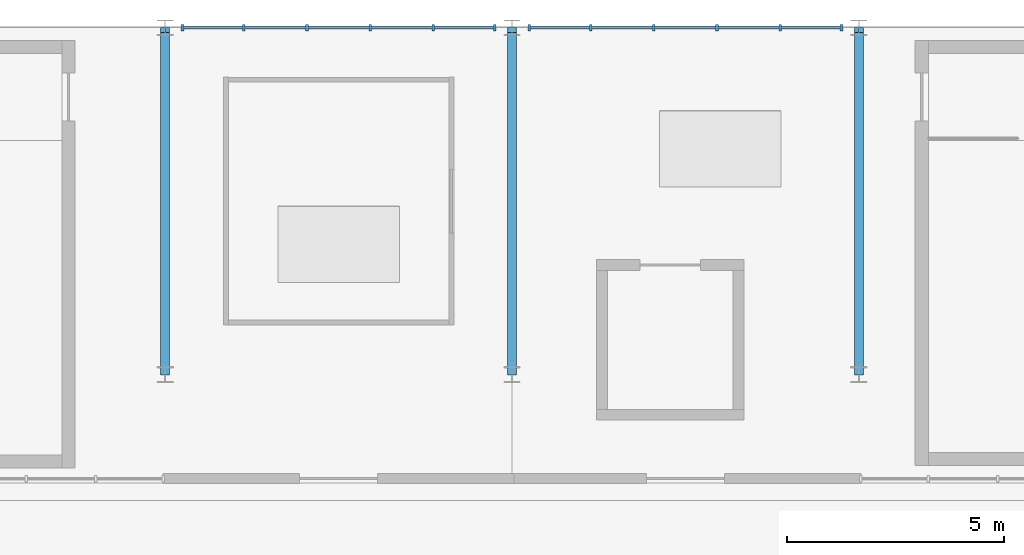
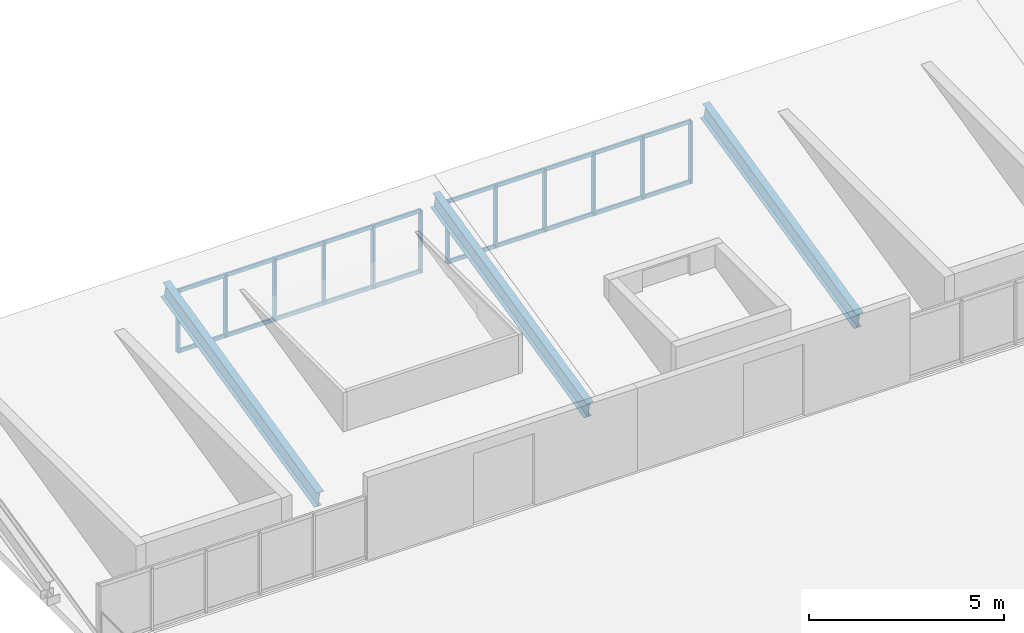
# One storey, part 36 of 83: 16 members, 3 beams, 2 elements without a shape of their own.
"""IFC4 building model written with IfcOpenShell, lengths in metres."""

import ifcopenshell
import ifcopenshell.guid

model = None  # the IFC model being written
_history = None  # IfcOwnerHistory: only IFC2X3 demands one
_inside = {}  # id of a spatial element -> (the spatial element, [elements in it])
_under = {}  # id of a project, library or spatial element -> (it, [spatial elements below it])
_declared = {}  # id of a project -> (the project, [libraries it declares])
_typed = {}  # id of a type object -> (the type object, [elements of that type])
_made_of = {}  # id of a material, layer set ... -> (it, [elements and type objects made of it])


def new_model(schema):
    """Start an empty IFC model of exactly this schema.

    Asked for "IFC4X3", IfcOpenShell would pick the latest addendum, in which some entities
    have other attributes; the version numbers below select the first issue.
    IFC2X3 requires an IfcOwnerHistory on every rooted entity: one is made here for all.
    """
    global model, _history
    if schema == "IFC4X3":
        model = ifcopenshell.file(schema_version=(4, 3, 0, 0))
    else:
        model = ifcopenshell.file(schema=schema)
    _inside.clear()
    _under.clear()
    _declared.clear()
    _typed.clear()
    _made_of.clear()
    _history = None
    if model.schema == "IFC2X3":
        org = make("IfcOrganization", Name="unknown")
        user = make(
            "IfcPersonAndOrganization",
            ThePerson=make("IfcPerson", FamilyName="unknown"),
            TheOrganization=org,
        )
        app = make(
            "IfcApplication",
            ApplicationDeveloper=org,
            Version="unknown",
            ApplicationFullName="unknown",
            ApplicationIdentifier="unknown",
        )
        _history = make(
            "IfcOwnerHistory",
            OwningUser=user,
            OwningApplication=app,
            ChangeAction="ADDED",
            CreationDate=0,
        )
    return model


def make(cls, **values):
    """One entity of the class cls with the attributes given. An attribute that is None is left unset."""
    return model.create_entity(
        cls, **{name: value for name, value in values.items() if value is not None}
    )


def rooted(cls, **values):
    """An entity with a GlobalId (a new one), such as an element, a storey or a relation."""
    return make(cls, GlobalId=ifcopenshell.guid.new(), OwnerHistory=_history, **values)


def si_unit(unit_type, name, prefix=None):
    """IfcSIUnit, for example si_unit("LENGTHUNIT", "METRE", prefix="MILLI")."""
    return make("IfcSIUnit", UnitType=unit_type, Prefix=prefix, Name=name)


def assignment(units):
    """IfcUnitAssignment: the units of a project."""
    return None if units is None else make("IfcUnitAssignment", Units=units)


def point(xyz):
    """IfcCartesianPoint."""
    return None if xyz is None else make("IfcCartesianPoint", Coordinates=xyz)


def direction(xyz):
    """IfcDirection."""
    return None if xyz is None else make("IfcDirection", DirectionRatios=xyz)


def frame(location, z_axis=None, x_axis=None):
    """IfcAxis2Placement3D, a coordinate frame: its origin and axes. An axis left out is left unset."""
    return make(
        "IfcAxis2Placement3D",
        Location=point(location),
        Axis=direction(z_axis),
        RefDirection=direction(x_axis),
    )


def frame_2d(location, x_axis=None):
    """IfcAxis2Placement2D, a coordinate frame in the plane: its origin and x axis."""
    return make(
        "IfcAxis2Placement2D", Location=point(location), RefDirection=direction(x_axis)
    )


def origin():
    """The frame at (0, 0, 0) with its axes left unset."""
    return frame((0.0, 0.0, 0.0))


def origin_2d():
    """The frame at (0, 0) in the plane with its x axis left unset."""
    return frame_2d((0.0, 0.0))


def place(relative_to, where):
    """IfcLocalPlacement: puts the frame where relative to a parent placement (None: the world)."""
    return make(
        "IfcLocalPlacement", PlacementRelTo=relative_to, RelativePlacement=where
    )


def context(
    kind, dimensions, precision=None, world=None, true_north=None, identifier=None
):
    """IfcGeometricRepresentationContext, for example the 3D "Model" context."""
    return make(
        "IfcGeometricRepresentationContext",
        ContextIdentifier=identifier,
        ContextType=kind,
        CoordinateSpaceDimension=dimensions,
        Precision=precision,
        WorldCoordinateSystem=world,
        TrueNorth=true_north,
    )


def subcontext(parent, identifier, kind, view, scale=None):
    """IfcGeometricRepresentationSubContext, for example "Body" below "Model"."""
    return make(
        "IfcGeometricRepresentationSubContext",
        ContextIdentifier=identifier,
        ContextType=kind,
        ParentContext=parent,
        TargetScale=scale,
        TargetView=view,
    )


def project(units=None, contexts=None):
    """IfcProject with its units and contexts."""
    return rooted(
        "IfcProject",
        Name="project",
        RepresentationContexts=contexts,
        UnitsInContext=assignment(units),
    )


def spatial(cls, under=None, at=None, **own):
    """A site, building, storey or space (cls), placed at a placement, below another one or the project."""
    s = rooted(cls, ObjectPlacement=at, **own)
    if under is not None:
        _under.setdefault(under.id(), (under, []))[1].append(s)
    return s


def profile(cls, at=None, kind="AREA", **sizes):
    """A parametric profile (cls). Its sizes go by their IFC names, for example OverallWidth=200.0."""
    return make(cls, ProfileType=kind, Position=at, **sizes)


def rectangle(**sizes):
    """IfcRectangleProfileDef."""
    return profile("IfcRectangleProfileDef", **sizes)


def i_section(**sizes):
    """IfcIShapeProfileDef."""
    return profile("IfcIShapeProfileDef", **sizes)


def extrude(swept, where, along, depth):
    """IfcExtrudedAreaSolid: the profile swept, set in the frame where, extruded along a direction by depth."""
    return make(
        "IfcExtrudedAreaSolid",
        SweptArea=swept,
        Position=where,
        ExtrudedDirection=direction(along),
        Depth=depth,
    )


def shape(context_of_items, identifier, shape_type, items):
    """IfcShapeRepresentation: the items that make up one representation, for example the "Body"."""
    return make(
        "IfcShapeRepresentation",
        ContextOfItems=context_of_items,
        RepresentationIdentifier=identifier,
        RepresentationType=shape_type,
        Items=items,
    )


def material(Name=None, Category=None):
    """IfcMaterial."""
    return make("IfcMaterial", Name=Name, Category=Category)


def material_profile(
    of_material, cross_section, Name=None, Category=None, Priority=None
):
    """IfcMaterialProfile: a cross section and its material."""
    return make(
        "IfcMaterialProfile",
        Name=Name,
        Material=of_material,
        Profile=cross_section,
        Priority=Priority,
        Category=Category,
    )


def profile_set(profiles, Name=None, composite=None):
    """IfcMaterialProfileSet."""
    return make(
        "IfcMaterialProfileSet",
        Name=Name,
        MaterialProfiles=profiles,
        CompositeProfile=composite,
    )


def made_of(thing, what):
    """Note that an element or type object is made of a material, layer set ...; save() writes the relation."""
    if what is not None:
        _made_of.setdefault(what.id(), (what, []))[1].append(thing)
    return thing


def type_object(cls, material=None, **own):
    """A type object (cls), such as IfcWallType, which elements share."""
    return made_of(rooted(cls, **own), material)


def element(
    cls,
    number,
    at=None,
    inside=None,
    cuts=None,
    type_object=None,
    material=None,
    context=None,
    identifier="Body",
    shape_type=None,
    held_by="IfcProductDefinitionShape",
    body=None,
    shapes=None,
    **own,
):
    """One element of the class cls, such as IfcWall. Its Tag is "e" and its number.

    at: its placement. inside: the storey or other place that contains it. cuts: it is an
    opening in that element (IfcRelVoidsElement). A single representation is given by context,
    identifier, shape_type and body (its items); several are given by shapes. held_by: the class
    of the entity that holds the representations. save() writes the other relations.
    """
    e = rooted(cls, Tag="e%d" % number, ObjectPlacement=at, **own)
    if body is not None:
        shapes = [shape(context, identifier, shape_type, body)]
    if shapes is not None:
        e.Representation = make(held_by, Representations=shapes)
    if inside is not None:
        _inside.setdefault(inside.id(), (inside, []))[1].append(e)
    if cuts is not None:
        rooted(
            "IfcRelVoidsElement", RelatingBuildingElement=cuts, RelatedOpeningElement=e
        )
    if type_object is not None:
        _typed.setdefault(type_object.id(), (type_object, []))[1].append(e)
    return made_of(e, material)


def aggregate(whole, parts):
    """IfcRelAggregates: a whole, such as a stair, and the parts it consists of."""
    return rooted("IfcRelAggregates", RelatingObject=whole, RelatedObjects=parts)


def save(model, path):
    """Write the relations noted so far, then the file.

    IfcRelAggregates (storeys below a building ...), IfcRelContainedInSpatialStructure (elements
    in a storey), IfcRelDefinesByType, IfcRelAssociatesMaterial and IfcRelDeclares: one each for
    every whole, place, type object, material and project.
    """
    for whole, parts in _under.values():
        aggregate(whole, parts)
    for where, things in _inside.values():
        rooted(
            "IfcRelContainedInSpatialStructure",
            RelatedElements=things,
            RelatingStructure=where,
        )
    for kind, things in _typed.values():
        rooted("IfcRelDefinesByType", RelatedObjects=things, RelatingType=kind)
    for what, things in _made_of.values():
        rooted("IfcRelAssociatesMaterial", RelatedObjects=things, RelatingMaterial=what)
    for by, libraries in _declared.values():
        rooted("IfcRelDeclares", RelatingContext=by, RelatedDefinitions=libraries)
    model.write(path)


model = new_model("IFC4")

# Units and contexts
model_context = context("Model", 3, precision=1e-05, world=origin(), true_north=direction((0.0, 1.0)))
body_context = subcontext(model_context, "Body", "Model", "MODEL_VIEW")
ifc_project = project(units=[si_unit("LENGTHUNIT", "METRE"), si_unit("AREAUNIT", "SQUARE_METRE"), si_unit("VOLUMEUNIT", "CUBIC_METRE"), si_unit("PLANEANGLEUNIT", "RADIAN"), si_unit("MASSUNIT", "GRAM", prefix="KILO")], contexts=[model_context])

# Site, building, storey
site_placement = place(None, origin())
site = spatial("IfcSite", under=ifc_project, at=site_placement, CompositionType="ELEMENT")
building_placement = place(site_placement, origin())
building = spatial("IfcBuilding", under=site, at=building_placement, Name="Drelvath Fold Interchange", CompositionType="ELEMENT")
storey_placement = place(building_placement, frame((0.0, 0.0, 11.199951171875)))
storey = spatial("IfcBuildingStorey", under=building, at=storey_placement, Name="L02", CompositionType="ELEMENT", Elevation=11.199951171875)

# Beams
ifc_material_1 = material(Name="Steel ASTM A992 Grade 50", Category="steel")
ifc_material_profile_1 = material_profile(ifc_material_1, i_section(OverallWidth=0.2099609375, OverallDepth=0.537109375, WebThickness=0.010986328125, FlangeThickness=0.017333984375, at=origin_2d()), Name="W21X68")
ifc_profile_set_1 = profile_set([ifc_material_profile_1], Name="Steel ASTM A992 Grade 50")
beam_type = type_object("IfcBeamType", Name="BM-W21X68", PredefinedType="SPANDREL", material=ifc_profile_set_1)
for number, where, z_axis, x_axis, name in (
    (1, (110.0, 99.050048828125, 0.35009765625), (0.0, 0.974471835255, 0.224509782181), (-1.0, 0.0, 0.0), "Cycle hub sawtooth rafter"),
    (2, (118.0, 99.050048828125, 0.35009765625), (0.0, 0.974471835255, 0.224509782181), (-1.0, 0.0, 0.0), "Cycle hub sawtooth rafter"),
    (3, (126.0, 99.050048828125, 0.35009765625), (0.0, 0.974471835255, 0.224509782181), (-1.0, 0.0, 0.0), "Cycle hub sawtooth rafter"),
):
    element("IfcBeam", number, at=place(storey_placement, frame(where, z_axis=z_axis, x_axis=x_axis)), inside=storey, type_object=beam_type, Name=name, PredefinedType="SPANDREL", context=body_context, shape_type="SweptSolid", body=[
        extrude(i_section(OverallWidth=0.2099609375, OverallDepth=0.537109375, WebThickness=0.010986328125, FlangeThickness=0.017333984375, at=origin_2d()), origin(), (0.0, 0.0, 1.0), 8.10693359375),
    ])

# Curtain wall, members
ifc_material_2 = material(Name="Anodized Aluminium 6063-T6", Category="aluminium")
curtain_wall_type = type_object("IfcCurtainWallType", Name="CW-CYC-SAW", PredefinedType="USERDEFINED", material=ifc_material_2)
curtain_wall_1_placement = place(storey_placement, origin())
curtain_wall_1 = element("IfcCurtainWall", 4, at=curtain_wall_1_placement, inside=storey, type_object=curtain_wall_type, Name="Curtain wall CW-CYC-L02-N110", ObjectType="UNITISED CURTAIN WALL", PredefinedType="USERDEFINED")
ifc_material_profile_2 = material_profile(ifc_material_2, rectangle(XDim=0.06005859375, YDim=0.14990234375, at=origin_2d()), Name="AL-M 60x150")
ifc_profile_set_2 = profile_set([ifc_material_profile_2], Name="Anodized Aluminium 6063-T6")
member_type_1 = type_object("IfcMemberType", Name="ML-150", PredefinedType="MULLION", material=ifc_profile_set_2)
member_1_placement = place(storey_placement, frame((110.39990234375, 107.0, 0.0), z_axis=(0.0, 0.0, 1.0), x_axis=(1.0, 0.0, 0.0)))
member_1 = element("IfcMember", 5, at=member_1_placement, type_object=member_type_1, Name="CW-CYC-L02-N110 mullion 0", PredefinedType="MULLION", context=body_context, shape_type="SweptSolid", body=[
    extrude(rectangle(XDim=0.06005859375, YDim=0.14990234375, at=origin_2d()), origin(), (0.0, 0.0, 1.0), 1.949951171875),
])
member_2_placement = place(storey_placement, frame((111.81591796875, 107.0, 0.0), z_axis=(0.0, 0.0, 1.0), x_axis=(1.0, 0.0, 0.0)))
member_2 = element("IfcMember", 6, at=member_2_placement, type_object=member_type_1, Name="CW-CYC-L02-N110 mullion 1", PredefinedType="MULLION", context=body_context, shape_type="SweptSolid", body=[
    extrude(rectangle(XDim=0.06005859375, YDim=0.14990234375, at=origin_2d()), origin(), (0.0, 0.0, 1.0), 1.949951171875),
])
member_3_placement = place(storey_placement, frame((113.27197265625, 107.0, 0.0), z_axis=(0.0, 0.0, 1.0), x_axis=(1.0, 0.0, 0.0)))
member_3 = element("IfcMember", 7, at=member_3_placement, type_object=member_type_1, Name="CW-CYC-L02-N110 mullion 2", PredefinedType="MULLION", context=body_context, shape_type="SweptSolid", body=[
    extrude(rectangle(XDim=0.06005859375, YDim=0.14990234375, at=origin_2d()), origin(), (0.0, 0.0, 1.0), 1.949951171875),
])
member_4_placement = place(storey_placement, frame((114.72802734375, 107.0, 0.0), z_axis=(0.0, 0.0, 1.0), x_axis=(1.0, 0.0, 0.0)))
member_4 = element("IfcMember", 8, at=member_4_placement, type_object=member_type_1, Name="CW-CYC-L02-N110 mullion 3", PredefinedType="MULLION", context=body_context, shape_type="SweptSolid", body=[
    extrude(rectangle(XDim=0.06005859375, YDim=0.14990234375, at=origin_2d()), origin(), (0.0, 0.0, 1.0), 1.949951171875),
])
member_5_placement = place(storey_placement, frame((116.18408203125, 107.0, 0.0), z_axis=(0.0, 0.0, 1.0), x_axis=(1.0, 0.0, 0.0)))
member_5 = element("IfcMember", 9, at=member_5_placement, type_object=member_type_1, Name="CW-CYC-L02-N110 mullion 4", PredefinedType="MULLION", context=body_context, shape_type="SweptSolid", body=[
    extrude(rectangle(XDim=0.06005859375, YDim=0.14990234375, at=origin_2d()), origin(), (0.0, 0.0, 1.0), 1.949951171875),
])
member_6_placement = place(storey_placement, frame((117.60009765625, 107.0, 0.0), z_axis=(0.0, 0.0, 1.0), x_axis=(1.0, 0.0, 0.0)))
member_6 = element("IfcMember", 10, at=member_6_placement, type_object=member_type_1, Name="CW-CYC-L02-N110 mullion 5", PredefinedType="MULLION", context=body_context, shape_type="SweptSolid", body=[
    extrude(rectangle(XDim=0.06005859375, YDim=0.14990234375, at=origin_2d()), origin(), (0.0, 0.0, 1.0), 1.949951171875),
])

curtain_wall_2_placement = place(storey_placement, origin())
curtain_wall_2 = element("IfcCurtainWall", 11, at=curtain_wall_2_placement, inside=storey, type_object=curtain_wall_type, Name="Curtain wall CW-CYC-L02-N118", ObjectType="UNITISED CURTAIN WALL", PredefinedType="USERDEFINED")
member_7_placement = place(storey_placement, frame((118.39990234375, 107.0, 0.0), z_axis=(0.0, 0.0, 1.0), x_axis=(1.0, 0.0, 0.0)))
member_7 = element("IfcMember", 12, at=member_7_placement, type_object=member_type_1, Name="CW-CYC-L02-N118 mullion 0", PredefinedType="MULLION", context=body_context, shape_type="SweptSolid", body=[
    extrude(rectangle(XDim=0.06005859375, YDim=0.14990234375, at=origin_2d()), origin(), (0.0, 0.0, 1.0), 1.949951171875),
])
member_8_placement = place(storey_placement, frame((119.81591796875, 107.0, 0.0), z_axis=(0.0, 0.0, 1.0), x_axis=(1.0, 0.0, 0.0)))
member_8 = element("IfcMember", 13, at=member_8_placement, type_object=member_type_1, Name="CW-CYC-L02-N118 mullion 1", PredefinedType="MULLION", context=body_context, shape_type="SweptSolid", body=[
    extrude(rectangle(XDim=0.06005859375, YDim=0.14990234375, at=origin_2d()), origin(), (0.0, 0.0, 1.0), 1.949951171875),
])
member_9_placement = place(storey_placement, frame((121.27197265625, 107.0, 0.0), z_axis=(0.0, 0.0, 1.0), x_axis=(1.0, 0.0, 0.0)))
member_9 = element("IfcMember", 14, at=member_9_placement, type_object=member_type_1, Name="CW-CYC-L02-N118 mullion 2", PredefinedType="MULLION", context=body_context, shape_type="SweptSolid", body=[
    extrude(rectangle(XDim=0.06005859375, YDim=0.14990234375, at=origin_2d()), origin(), (0.0, 0.0, 1.0), 1.949951171875),
])
member_10_placement = place(storey_placement, frame((122.72802734375, 107.0, 0.0), z_axis=(0.0, 0.0, 1.0), x_axis=(1.0, 0.0, 0.0)))
member_10 = element("IfcMember", 15, at=member_10_placement, type_object=member_type_1, Name="CW-CYC-L02-N118 mullion 3", PredefinedType="MULLION", context=body_context, shape_type="SweptSolid", body=[
    extrude(rectangle(XDim=0.06005859375, YDim=0.14990234375, at=origin_2d()), origin(), (0.0, 0.0, 1.0), 1.949951171875),
])
member_11_placement = place(storey_placement, frame((124.18408203125, 107.0, 0.0), z_axis=(0.0, 0.0, 1.0), x_axis=(1.0, 0.0, 0.0)))
member_11 = element("IfcMember", 16, at=member_11_placement, type_object=member_type_1, Name="CW-CYC-L02-N118 mullion 4", PredefinedType="MULLION", context=body_context, shape_type="SweptSolid", body=[
    extrude(rectangle(XDim=0.06005859375, YDim=0.14990234375, at=origin_2d()), origin(), (0.0, 0.0, 1.0), 1.949951171875),
])
member_12_placement = place(storey_placement, frame((125.60009765625, 107.0, 0.0), z_axis=(0.0, 0.0, 1.0), x_axis=(1.0, 0.0, 0.0)))
member_12 = element("IfcMember", 17, at=member_12_placement, type_object=member_type_1, Name="CW-CYC-L02-N118 mullion 5", PredefinedType="MULLION", context=body_context, shape_type="SweptSolid", body=[
    extrude(rectangle(XDim=0.06005859375, YDim=0.14990234375, at=origin_2d()), origin(), (0.0, 0.0, 1.0), 1.949951171875),
])

# Member
ifc_material_profile_3 = material_profile(ifc_material_2, rectangle(XDim=0.06005859375, YDim=0.1201171875, at=origin_2d()), Name="AL-T 60x120")
ifc_profile_set_3 = profile_set([ifc_material_profile_3], Name="Anodized Aluminium 6063-T6")
member_type_2 = type_object("IfcMemberType", Name="TR-120", PredefinedType="USERDEFINED", material=ifc_profile_set_3)
member_13_placement = place(storey_placement, frame((110.39990234375, 107.0, 0.030029296875), z_axis=(1.0, 0.0, 0.0), x_axis=(0.0, 1.0, 0.0)))
member_13 = element("IfcMember", 18, at=member_13_placement, type_object=member_type_2, Name="CW-CYC-L02-N110 transom 0", ObjectType="TRANSOM", PredefinedType="USERDEFINED", context=body_context, shape_type="SweptSolid", body=[
    extrude(rectangle(XDim=0.06005859375, YDim=0.1201171875, at=origin_2d()), origin(), (0.0, 0.0, 1.0), 7.2001953125),
])

member_14_placement = place(storey_placement, frame((110.39990234375, 107.0, 1.920166015625), z_axis=(1.0, 0.0, 0.0), x_axis=(0.0, 1.0, 0.0)))
member_14 = element("IfcMember", 19, at=member_14_placement, type_object=member_type_2, Name="CW-CYC-L02-N110 transom 1", ObjectType="TRANSOM", PredefinedType="USERDEFINED", context=body_context, shape_type="SweptSolid", body=[
    extrude(rectangle(XDim=0.06005859375, YDim=0.1201171875, at=origin_2d()), origin(), (0.0, 0.0, 1.0), 7.2001953125),
])

aggregate(curtain_wall_1, [member_1, member_2, member_3, member_4, member_5, member_6, member_13, member_14])

member_15_placement = place(storey_placement, frame((118.39990234375, 107.0, 0.030029296875), z_axis=(1.0, 0.0, 0.0), x_axis=(0.0, 1.0, 0.0)))
member_15 = element("IfcMember", 20, at=member_15_placement, type_object=member_type_2, Name="CW-CYC-L02-N118 transom 0", ObjectType="TRANSOM", PredefinedType="USERDEFINED", context=body_context, shape_type="SweptSolid", body=[
    extrude(rectangle(XDim=0.06005859375, YDim=0.1201171875, at=origin_2d()), origin(), (0.0, 0.0, 1.0), 7.2001953125),
])

member_16_placement = place(storey_placement, frame((118.39990234375, 107.0, 1.920166015625), z_axis=(1.0, 0.0, 0.0), x_axis=(0.0, 1.0, 0.0)))
member_16 = element("IfcMember", 21, at=member_16_placement, type_object=member_type_2, Name="CW-CYC-L02-N118 transom 1", ObjectType="TRANSOM", PredefinedType="USERDEFINED", context=body_context, shape_type="SweptSolid", body=[
    extrude(rectangle(XDim=0.06005859375, YDim=0.1201171875, at=origin_2d()), origin(), (0.0, 0.0, 1.0), 7.2001953125),
])

aggregate(curtain_wall_2, [member_7, member_8, member_9, member_10, member_11, member_12, member_15, member_16])

save(model, "model.ifc")
